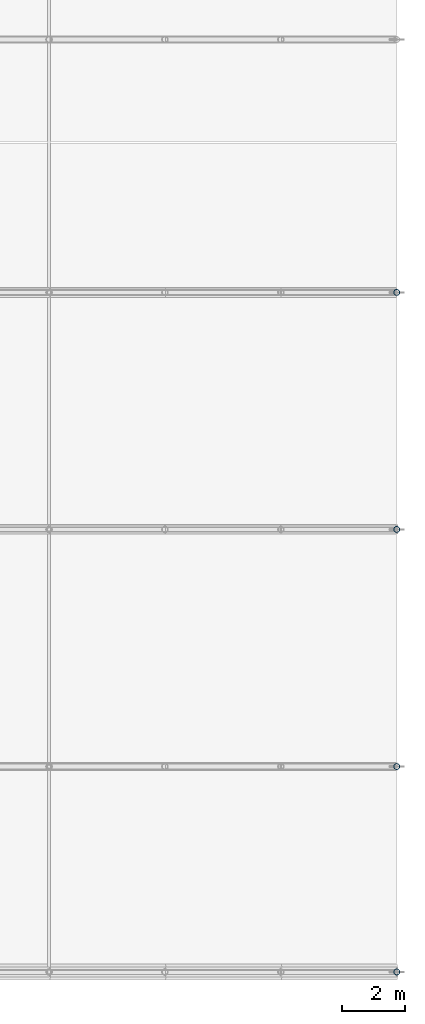
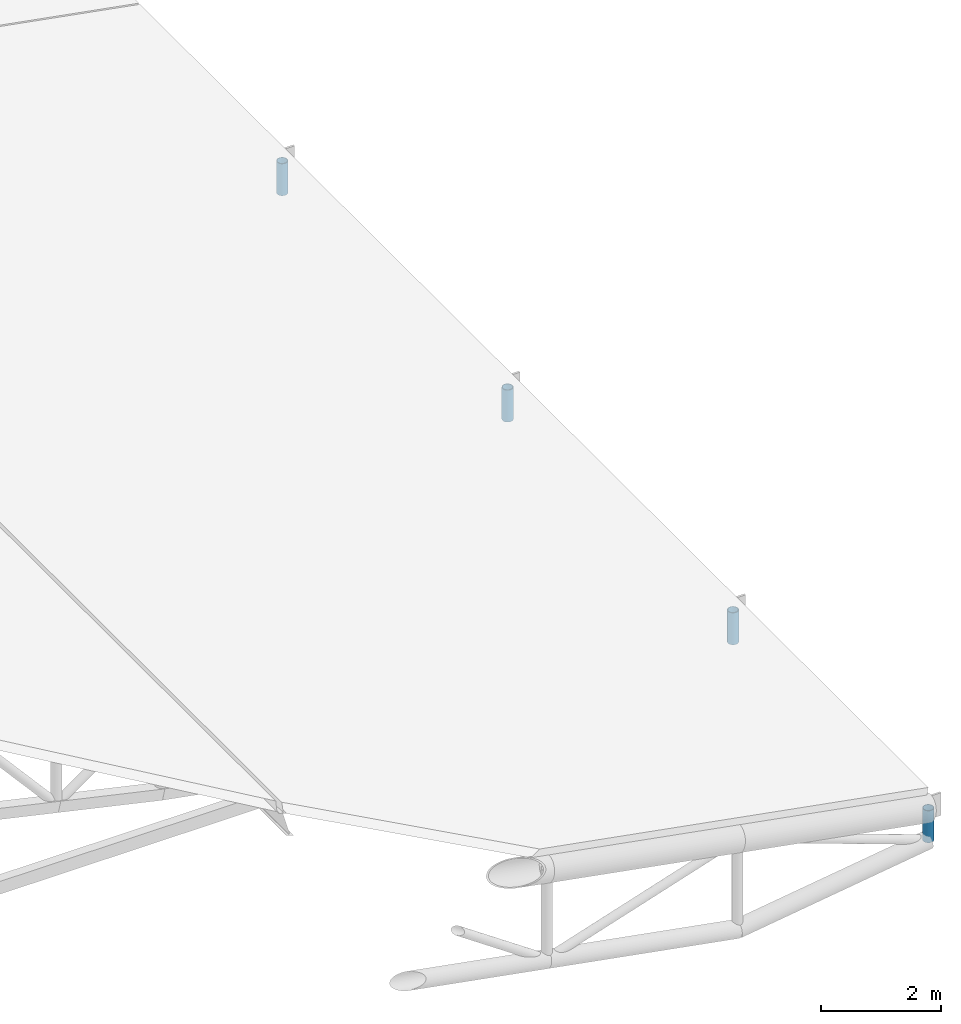
# One storey, part 23 of 28: 4 members.
"""IFC4 building model written with IfcOpenShell, lengths in metres."""

from ifc_helpers import new_model, si_unit, direction, frame, origin, origin_2d, place, context, subcontext, project, spatial, hollow_circle, extrude, material, material_profile, profile_set, type_object, element, save


model = new_model("IFC4")

# Units and contexts
model_context = context("Model", 3, precision=1e-05, world=origin(), true_north=direction((0.0, 1.0)))
body_context = subcontext(model_context, "Body", "Model", "MODEL_VIEW")
ifc_project = project(units=[si_unit("LENGTHUNIT", "METRE"), si_unit("AREAUNIT", "SQUARE_METRE"), si_unit("VOLUMEUNIT", "CUBIC_METRE"), si_unit("PLANEANGLEUNIT", "RADIAN"), si_unit("MASSUNIT", "GRAM", prefix="KILO"), si_unit("THERMODYNAMICTEMPERATUREUNIT", "KELVIN"), si_unit("POWERUNIT", "WATT")], contexts=[model_context])

# Site, building, storey
site_placement = place(None, origin())
site = spatial("IfcSite", under=ifc_project, at=site_placement, CompositionType="ELEMENT")
building_placement = place(site_placement, origin())
building = spatial("IfcBuilding", under=site, at=building_placement, Name="Tepalcoro Natatorium and Aquatics Centre", CompositionType="ELEMENT")
storey_placement = place(building_placement, frame((0.0, 0.0, 23.199951171875)))
storey = spatial("IfcBuildingStorey", under=building, at=storey_placement, Name="RF", CompositionType="ELEMENT", Elevation=23.199951171875)

# Members
ifc_material = material(Name="Terracotta Painted Hollow Steel ASTM A500 Grade C (Fy 345 MPa)", Category="masonry")
ifc_material_profile = material_profile(ifc_material, hollow_circle(Radius=0.096923828125, WallThickness=0.010009765625, at=origin_2d()), Name="CHS194X10")
ifc_profile_set = profile_set([ifc_material_profile], Name="Terracotta Painted Hollow Steel ASTM A500 Grade C (Fy 345 MPa)")
member_type = type_object("IfcMemberType", Name="MB_PS_CHS194x10", PredefinedType="POST", material=ifc_profile_set)
for number, where, z_axis, x_axis, name in (
    (1, (176.0, 6.5, -4.366943359375), (0.0, 0.0, 1.0), (1.0, 0.0, 0.0), "V2 Barrel-Arch Post 1"),
    (2, (176.0, 13.0, -4.287841796875), (0.0, 0.0, 1.0), (1.0, 0.0, 0.0), "V2 Barrel-Arch Post 2"),
):
    element("IfcMember", number, at=place(storey_placement, frame(where, z_axis=z_axis, x_axis=x_axis)), inside=storey, type_object=member_type, Name=name, PredefinedType="POST", context=body_context, shape_type="SweptSolid", body=[
        extrude(hollow_circle(Radius=0.096923828125, WallThickness=0.010009765625, at=origin_2d()), origin(), (0.0, 0.0, 1.0), 0.64990234375),
    ])
member_1_placement = place(storey_placement, frame((176.0, 20.5, -4.31298828125), z_axis=(0.0, 0.0, 1.0), x_axis=(1.0, 0.0, 0.0)))
element("IfcMember", 3, at=member_1_placement, inside=storey, type_object=member_type, Name="V2 Barrel-Arch Post 3", PredefinedType="POST", context=body_context, shape_type="SweptSolid", body=[
    extrude(hollow_circle(Radius=0.096923828125, WallThickness=0.010009765625, at=origin_2d()), origin(), (0.0, 0.0, 1.0), 0.650146484375),
])
member_2_placement = place(storey_placement, frame((176.0, 28.0, -4.262939453125), z_axis=(0.0, 0.0, 1.0), x_axis=(1.0, 0.0, 0.0)))
element("IfcMember", 4, at=member_2_placement, inside=storey, type_object=member_type, Name="V2 Barrel-Arch Post 4", PredefinedType="POST", context=body_context, shape_type="SweptSolid", body=[
    extrude(hollow_circle(Radius=0.096923828125, WallThickness=0.010009765625, at=origin_2d()), origin(), (0.0, 0.0, 1.0), 0.64990234375),
])

save(model, "model.ifc")
